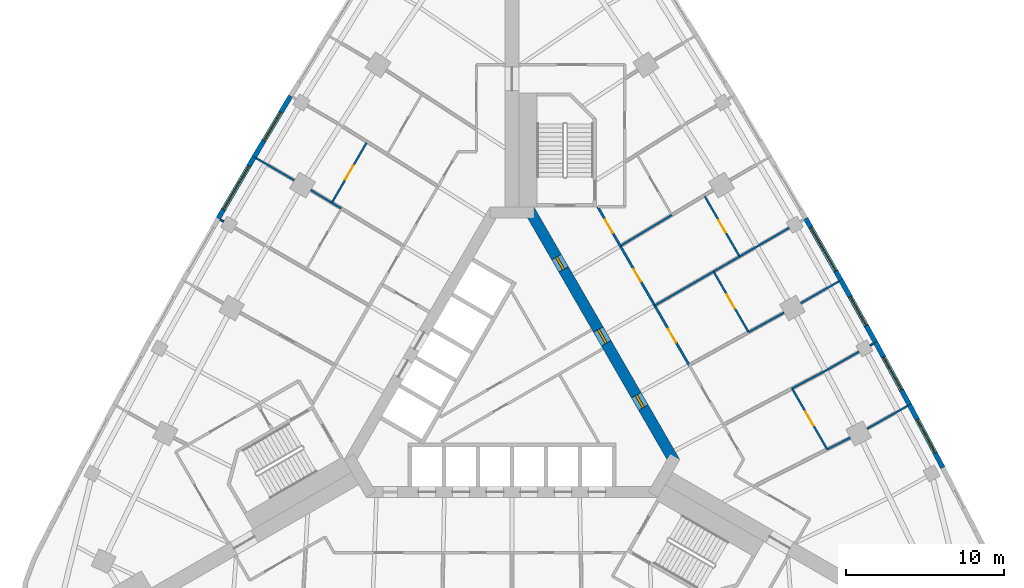
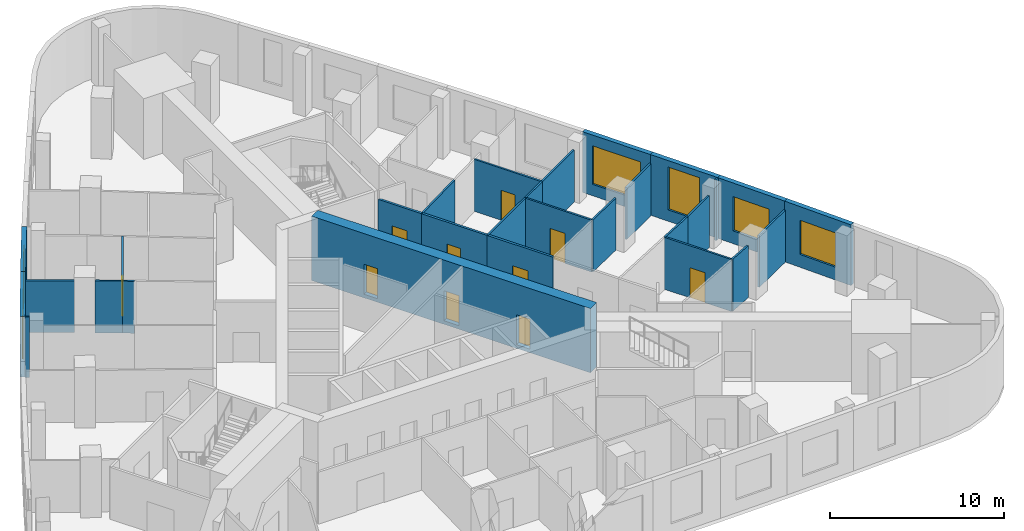
# One storey, part 8 of 11: 29 walls, 10 doors, 6 windows, 16 openings.
"""IFC4 building model written with IfcOpenShell, lengths in metres."""

from ifc_helpers import new_model, si_unit, direction, frame, frame_2d, origin, place, context, subcontext, project, spatial, rectangle, extrude, material, layer, layer_set, type_object, element, fill, save


model = new_model("IFC4")

# Units and contexts
model_context = context("Model", 3, precision=1e-05, world=origin(), true_north=direction((0.0, 1.0)))
body_context = subcontext(model_context, "Body", "Model", "MODEL_VIEW")
ifc_project = project(units=[si_unit("LENGTHUNIT", "METRE"), si_unit("AREAUNIT", "SQUARE_METRE"), si_unit("VOLUMEUNIT", "CUBIC_METRE"), si_unit("PLANEANGLEUNIT", "RADIAN"), si_unit("MASSUNIT", "GRAM", prefix="KILO")], contexts=[model_context])

# Site, building, storey
site_placement = place(None, origin())
site = spatial("IfcSite", under=ifc_project, at=site_placement, CompositionType="ELEMENT")
building_placement = place(site_placement, origin())
building = spatial("IfcBuilding", under=site, at=building_placement, Name="Noor Cloister Tower", CompositionType="ELEMENT")
storey_placement = place(building_placement, frame((0.0, 0.0, 10.5)))
storey = spatial("IfcBuildingStorey", under=building, at=storey_placement, Name="L02", CompositionType="ELEMENT", Elevation=10.5)

# Wall, openings, doors
ifc_material_1 = material(Name="Concrete C80/95", Category="concrete")
ifc_layer_1 = layer(ifc_material_1, 0.699951171875)
ifc_layer_set_1 = layer_set([ifc_layer_1], Name="Core wall 700 C80/95")
wall_type_1 = type_object("IfcWallType", Name="Core wall 700 C80/95", PredefinedType="SHEAR", material=ifc_layer_set_1)
wall_1_placement = place(storey_placement, frame((10.311279296875, -4.703125, -0.25), z_axis=(0.0, 0.0, 1.0), x_axis=(-0.500001446645, 0.866024568562, 0.0)))
wall_1 = element("IfcWall", 1, at=wall_1_placement, inside=storey, type_object=wall_type_1, Name="Core wall L02 3", PredefinedType="SHEAR", context=body_context, shape_type="SweptSolid", body=[
    extrude(rectangle(XDim=18.45751953125, YDim=0.699951171875, at=frame_2d((9.228759765625, 0.0))), origin(), (0.0, 0.0, 1.0), 4.5),
])
opening_1_placement = place(wall_1_placement, frame((8.699951171875, 0.0, 0.25)))
opening_1 = element("IfcOpeningElement", 2, at=opening_1_placement, cuts=wall_1, Name="Opening L02-901", PredefinedType="OPENING", context=body_context, shape_type="SweptSolid", body=[
    extrude(rectangle(XDim=1.0, YDim=2.10009765625, at=frame_2d((0.5, 1.050048828125))), frame((0.0, 0.35986328125, 0.0), z_axis=(0.0, -1.0, 0.0), x_axis=(1.0, 0.0, 0.0)), (0.0, 0.0, 1.0), 0.719970703125),
])
opening_2_placement = place(wall_1_placement, frame((4.001953125, 0.0, 0.25)))
opening_2 = element("IfcOpeningElement", 3, at=opening_2_placement, cuts=wall_1, Name="Opening L02-902", PredefinedType="OPENING", context=body_context, shape_type="SweptSolid", body=[
    extrude(rectangle(XDim=0.89990234375, YDim=2.10009765625, at=frame_2d((0.449951171875, 1.050048828125))), frame((0.0, 0.35986328125, 0.0), z_axis=(0.0, -1.0, 0.0), x_axis=(1.0, 0.0, 0.0)), (0.0, 0.0, 1.0), 0.719970703125),
])
opening_3_placement = place(wall_1_placement, frame((14.093017578125, 0.0, 0.25)))
opening_3 = element("IfcOpeningElement", 4, at=opening_3_placement, cuts=wall_1, Name="Opening L02-903", PredefinedType="OPENING", context=body_context, shape_type="SweptSolid", body=[
    extrude(rectangle(XDim=0.89990234375, YDim=2.10009765625, at=frame_2d((0.449951171875, 1.050048828125))), frame((0.0, 0.35986328125, 0.0), z_axis=(0.0, -1.0, 0.0), x_axis=(1.0, 0.0, 0.0)), (0.0, 0.0, 1.0), 0.719970703125),
])
ifc_material_2 = material(Name="Steel", Category="steel")
door_type_1 = type_object("IfcDoorType", Name="Core door 1000 x 2100 FD120", OperationType="SINGLE_SWING_LEFT", PredefinedType="DOOR", material=ifc_material_2)
door_1_placement = place(opening_1_placement, origin())
door_1 = element("IfcDoor", 5, at=door_1_placement, inside=storey, type_object=door_type_1, Name="Core door 1 L02", OperationType="SINGLE_SWING_LEFT", OverallHeight=2.10009765625, OverallWidth=1.0, PredefinedType="DOOR", context=body_context, shape_type="SweptSolid", body=[
    extrude(rectangle(XDim=1.0, YDim=2.10009765625, at=frame_2d((0.5, 1.050048828125))), frame((0.0, 0.074951171875, 0.0), z_axis=(0.0, -1.0, 0.0), x_axis=(1.0, 0.0, 0.0)), (0.0, 0.0, 1.0), 0.14990234375),
])
fill(opening_1, door_1)
ifc_material_3 = material(Name="Steel", Category="steel")
door_type_2 = type_object("IfcDoorType", Name="Core door 900 x 2100 FD120", OperationType="SINGLE_SWING_LEFT", PredefinedType="DOOR", material=ifc_material_3)
door_2_placement = place(opening_2_placement, origin())
door_2 = element("IfcDoor", 6, at=door_2_placement, inside=storey, type_object=door_type_2, Name="Core door 2 L02", OperationType="SINGLE_SWING_RIGHT", OverallHeight=2.10009765625, OverallWidth=0.89990234375, PredefinedType="DOOR", context=body_context, shape_type="SweptSolid", body=[
    extrude(rectangle(XDim=0.89990234375, YDim=2.10009765625, at=frame_2d((0.449951171875, 1.050048828125))), frame((0.0, 0.074951171875, 0.0), z_axis=(0.0, -1.0, 0.0), x_axis=(1.0, 0.0, 0.0)), (0.0, 0.0, 1.0), 0.14990234375),
])
fill(opening_2, door_2)
door_3_placement = place(opening_3_placement, origin())
door_3 = element("IfcDoor", 7, at=door_3_placement, inside=storey, type_object=door_type_2, Name="Core door 3 L02", OperationType="SINGLE_SWING_LEFT", OverallHeight=2.10009765625, OverallWidth=0.89990234375, PredefinedType="DOOR", context=body_context, shape_type="SweptSolid", body=[
    extrude(rectangle(XDim=0.89990234375, YDim=2.10009765625, at=frame_2d((0.449951171875, 1.050048828125))), frame((0.0, 0.074951171875, 0.0), z_axis=(0.0, -1.0, 0.0), x_axis=(1.0, 0.0, 0.0)), (0.0, 0.0, 1.0), 0.14990234375),
])
fill(opening_3, door_3)

# Wall, opening, door
ifc_material_4 = material(Name="Plasterboard on steel studs", Category="steel")
ifc_layer_2 = layer(ifc_material_4, 0.14990234375)
ifc_layer_set_2 = layer_set([ifc_layer_2], Name="Corridor wall 150")
wall_type_2 = type_object("IfcWallType", Name="Corridor wall 150", PredefinedType="PARTITIONING", material=ifc_layer_set_2)
wall_2_placement = place(storey_placement, frame((11.2060546875, 1.446044921875, 0.0), z_axis=(0.0, 0.0, 1.0), x_axis=(-0.500044734646, 0.865999574684, 0.0)))
wall_2 = element("IfcWall", 8, at=wall_2_placement, inside=storey, type_object=wall_type_2, Name="Partition", PredefinedType="PARTITIONING", context=body_context, shape_type="SweptSolid", body=[
    extrude(rectangle(XDim=4.349609375, YDim=0.14990234375, at=frame_2d((2.1748046875, 0.0))), origin(), (0.0, 0.0, 1.0), 3.637939453125),
])
opening_4_placement = place(wall_2_placement, frame((1.64990234375, 0.0, 0.0)))
opening_4 = element("IfcOpeningElement", 9, at=opening_4_placement, cuts=wall_2, Name="Opening L02-017", PredefinedType="OPENING", context=body_context, shape_type="SweptSolid", body=[
    extrude(rectangle(XDim=1.0, YDim=2.10009765625, at=frame_2d((0.5, 1.050048828125))), frame((0.0, 0.0849609375, 0.0), z_axis=(0.0, -1.0, 0.0), x_axis=(1.0, 0.0, 0.0)), (0.0, 0.0, 1.0), 0.169921875),
])
ifc_material_5 = material(Name="Timber door leaf", Category="wood")
door_type_3 = type_object("IfcDoorType", Name="Clinic room door 1000", OperationType="SINGLE_SWING_LEFT", PredefinedType="DOOR", material=ifc_material_5)
door_4_placement = place(opening_4_placement, origin())
door_4 = element("IfcDoor", 10, at=door_4_placement, inside=storey, type_object=door_type_3, Name="Door L02-017", OperationType="SINGLE_SWING_RIGHT", OverallHeight=2.10009765625, OverallWidth=1.0, PredefinedType="DOOR", context=body_context, shape_type="SweptSolid", body=[
    extrude(rectangle(XDim=1.0, YDim=2.10009765625, at=frame_2d((0.5, 1.050048828125))), frame((0.0, 0.02490234375, 0.0), z_axis=(0.0, -1.0, 0.0), x_axis=(1.0, 0.0, 0.0)), (0.0, 0.0, 1.0), 0.050048828125),
])
fill(opening_4, door_4)

wall_3_placement = place(storey_placement, frame((9.030029296875, 5.215087890625, 0.0), z_axis=(0.0, 0.0, 1.0), x_axis=(-0.500239242508, 0.86588723299, 0.0)))
wall_3 = element("IfcWall", 11, at=wall_3_placement, inside=storey, type_object=wall_type_2, Name="Partition", PredefinedType="PARTITIONING", context=body_context, shape_type="SweptSolid", body=[
    extrude(rectangle(XDim=4.347900390625, YDim=0.14990234375, at=frame_2d((2.173828125, 0.0))), origin(), (0.0, 0.0, 1.0), 3.637939453125),
])
opening_5_placement = place(wall_3_placement, frame((1.75, 0.0, 0.0)))
opening_5 = element("IfcOpeningElement", 12, at=opening_5_placement, cuts=wall_3, Name="Opening L02-021", PredefinedType="OPENING", context=body_context, shape_type="SweptSolid", body=[
    extrude(rectangle(XDim=0.89990234375, YDim=2.10009765625, at=frame_2d((0.449951171875, 1.050048828125))), frame((0.0, 0.0849609375, 0.0), z_axis=(0.0, -1.0, 0.0), x_axis=(1.0, 0.0, 0.0)), (0.0, 0.0, 1.0), 0.169921875),
])
ifc_material_6 = material(Name="Timber door leaf", Category="wood")
door_type_4 = type_object("IfcDoorType", Name="Service room door 900", OperationType="SINGLE_SWING_LEFT", PredefinedType="DOOR", material=ifc_material_6)
door_5_placement = place(opening_5_placement, origin())
door_5 = element("IfcDoor", 13, at=door_5_placement, inside=storey, type_object=door_type_4, Name="Door L02-021", OperationType="SINGLE_SWING_LEFT", OverallHeight=2.10009765625, OverallWidth=0.89990234375, PredefinedType="DOOR", context=body_context, shape_type="SweptSolid", body=[
    extrude(rectangle(XDim=0.89990234375, YDim=2.10009765625, at=frame_2d((0.449951171875, 1.050048828125))), frame((0.0, 0.02490234375, 0.0), z_axis=(0.0, -1.0, 0.0), x_axis=(1.0, 0.0, 0.0)), (0.0, 0.0, 1.0), 0.050048828125),
])
fill(opening_5, door_5)

wall_4_placement = place(storey_placement, frame((6.85400390625, 8.98193359375, 0.0), z_axis=(0.0, 0.0, 1.0), x_axis=(-0.499919889281, 0.866071650789, 0.0)))
wall_4 = element("IfcWall", 14, at=wall_4_placement, inside=storey, type_object=wall_type_2, Name="Partition", PredefinedType="PARTITIONING", context=body_context, shape_type="SweptSolid", body=[
    extrude(rectangle(XDim=2.8544921875, YDim=0.14990234375, at=frame_2d((1.42724609375, 0.0))), origin(), (0.0, 0.0, 1.0), 3.637939453125),
])
opening_6_placement = place(wall_4_placement, frame((0.949951171875, 0.0, 0.0)))
opening_6 = element("IfcOpeningElement", 15, at=opening_6_placement, cuts=wall_4, Name="Opening L02-025", PredefinedType="OPENING", context=body_context, shape_type="SweptSolid", body=[
    extrude(rectangle(XDim=1.0, YDim=2.10009765625, at=frame_2d((0.5, 1.050048828125))), frame((0.0, 0.0849609375, 0.0), z_axis=(0.0, -1.0, 0.0), x_axis=(1.0, 0.0, 0.0)), (0.0, 0.0, 1.0), 0.169921875),
])
door_6_placement = place(opening_6_placement, origin())
door_6 = element("IfcDoor", 16, at=door_6_placement, inside=storey, type_object=door_type_3, Name="Door L02-025", OperationType="SINGLE_SWING_LEFT", OverallHeight=2.10009765625, OverallWidth=1.0, PredefinedType="DOOR", context=body_context, shape_type="SweptSolid", body=[
    extrude(rectangle(XDim=1.0, YDim=2.10009765625, at=frame_2d((0.5, 1.050048828125))), frame((0.0, 0.02490234375, 0.0), z_axis=(0.0, -1.0, 0.0), x_axis=(1.0, 0.0, 0.0)), (0.0, 0.0, 1.0), 0.050048828125),
])
fill(opening_6, door_6)

# Wall, opening, window
ifc_material_7 = material(Name="Limestone", Category="masonry")
ifc_layer_3 = layer(ifc_material_7, 0.300048828125)
ifc_layer_set_3 = layer_set([ifc_layer_3], Name="Limestone panel wall 300")
wall_type_3 = type_object("IfcWallType", Name="Limestone panel wall 300", PredefinedType="NOTDEFINED", material=ifc_layer_set_3)
wall_5_placement = place(storey_placement, frame((-16.312744140625, 14.61376953125, 0.0), z_axis=(0.0, 0.0, 1.0), x_axis=(0.513257465408, 0.858234684805, 0.0)))
wall_5 = element("IfcWall", 17, at=wall_5_placement, inside=storey, type_object=wall_type_3, Name="Limestone wall L02 NW 4", PredefinedType="NOTDEFINED", context=body_context, shape_type="SweptSolid", body=[
    extrude(rectangle(XDim=4.49609375, YDim=0.300048828125, at=frame_2d((2.248046875, 0.0))), origin(), (0.0, 0.0, 1.0), 4.25),
])
opening_7_placement = place(wall_5_placement, frame((1.197998046875, 0.0, 0.800048828125)))
opening_7 = element("IfcOpeningElement", 18, at=opening_7_placement, cuts=wall_5, Name="Opening L02-W04", PredefinedType="OPENING", context=body_context, shape_type="SweptSolid", body=[
    extrude(rectangle(XDim=2.10009765625, YDim=3.0, at=frame_2d((1.050048828125, 1.5))), frame((0.0, 0.16015625, 0.0), z_axis=(0.0, -1.0, 0.0), x_axis=(1.0, 0.0, 0.0)), (0.0, 0.0, 1.0), 0.320068359375),
])
ifc_material_8 = material(Name="Aluminium 6063-T6 anodised", Category="aluminium")
window_type_1 = type_object("IfcWindowType", Name="Therapy window 2100 x 3000", PartitioningType="DOUBLE_PANEL_HORIZONTAL", PredefinedType="WINDOW", material=ifc_material_8)
window_1_placement = place(opening_7_placement, origin())
window_1 = element("IfcWindow", 19, at=window_1_placement, inside=storey, type_object=window_type_1, Name="Window L02 4", OverallHeight=3.0, OverallWidth=2.10009765625, PartitioningType="DOUBLE_PANEL_HORIZONTAL", PredefinedType="WINDOW", context=body_context, shape_type="SweptSolid", body=[
    extrude(rectangle(XDim=2.10009765625, YDim=3.0, at=frame_2d((1.050048828125, 1.5))), frame((0.0, 0.030029296875, 0.0), z_axis=(0.0, -1.0, 0.0), x_axis=(1.0, 0.0, 0.0)), (0.0, 0.0, 1.0), 0.06005859375),
])
fill(opening_7, window_1)

wall_6_placement = place(storey_placement, frame((-18.58203125, 10.729736328125, 0.0), z_axis=(0.0, 0.0, 1.0), x_axis=(0.50445499627, 0.86343798662, 0.0)))
wall_6 = element("IfcWall", 20, at=wall_6_placement, inside=storey, type_object=wall_type_3, Name="Limestone wall L02 NW 5", PredefinedType="NOTDEFINED", context=body_context, shape_type="SweptSolid", body=[
    extrude(rectangle(XDim=4.49609375, YDim=0.300048828125, at=frame_2d((2.248046875, 0.0))), origin(), (0.0, 0.0, 1.0), 4.25),
])
opening_8_placement = place(wall_6_placement, frame((0.64794921875, 0.0, 0.800048828125)))
opening_8 = element("IfcOpeningElement", 21, at=opening_8_placement, cuts=wall_6, Name="Opening L02-W05", PredefinedType="OPENING", context=body_context, shape_type="SweptSolid", body=[
    extrude(rectangle(XDim=3.199951171875, YDim=2.699951171875, at=frame_2d((1.60009765625, 1.35009765625))), frame((0.0, 0.16015625, 0.0), z_axis=(0.0, -1.0, 0.0), x_axis=(1.0, 0.0, 0.0)), (0.0, 0.0, 1.0), 0.320068359375),
])
ifc_material_9 = material(Name="Aluminium 6063-T6 anodised", Category="aluminium")
window_type_2 = type_object("IfcWindowType", Name="Waiting room window 3200 x 2700", PartitioningType="TRIPLE_PANEL_VERTICAL", PredefinedType="WINDOW", material=ifc_material_9)
window_2_placement = place(opening_8_placement, origin())
window_2 = element("IfcWindow", 22, at=window_2_placement, inside=storey, type_object=window_type_2, Name="Window L02 5", OverallHeight=2.699951171875, OverallWidth=3.199951171875, PartitioningType="TRIPLE_PANEL_VERTICAL", PredefinedType="WINDOW", context=body_context, shape_type="SweptSolid", body=[
    extrude(rectangle(XDim=3.199951171875, YDim=2.699951171875, at=frame_2d((1.60009765625, 1.35009765625))), frame((0.0, 0.030029296875, 0.0), z_axis=(0.0, -1.0, 0.0), x_axis=(1.0, 0.0, 0.0)), (0.0, 0.0, 1.0), 0.06005859375),
])
fill(opening_8, window_2)

wall_7_placement = place(storey_placement, frame((25.149658203125, -1.061767578125, 0.0), z_axis=(0.0, 0.0, 1.0), x_axis=(0.468566202388, -0.883428386447, 0.0)))
wall_7 = element("IfcWall", 23, at=wall_7_placement, inside=storey, type_object=wall_type_3, Name="Limestone wall L02 NE 2", PredefinedType="NOTDEFINED", context=body_context, shape_type="SweptSolid", body=[
    extrude(rectangle(XDim=4.49609375, YDim=0.300048828125, at=frame_2d((2.248046875, 0.0))), origin(), (0.0, 0.0, 1.0), 4.25),
])
opening_9_placement = place(wall_7_placement, frame((1.048095703125, 0.0, 0.89990234375)))
opening_9 = element("IfcOpeningElement", 24, at=opening_9_placement, cuts=wall_7, Name="Opening L02-W22", PredefinedType="OPENING", context=body_context, shape_type="SweptSolid", body=[
    extrude(rectangle(XDim=2.39990234375, YDim=2.39990234375, at=frame_2d((1.199951171875, 1.199951171875))), frame((0.0, 0.16015625, 0.0), z_axis=(0.0, -1.0, 0.0), x_axis=(1.0, 0.0, 0.0)), (0.0, 0.0, 1.0), 0.320068359375),
])
ifc_material_10 = material(Name="Aluminium 6063-T6 anodised", Category="aluminium")
window_type_3 = type_object("IfcWindowType", Name="Clinic window 2400 x 2400", PartitioningType="DOUBLE_PANEL_VERTICAL", PredefinedType="WINDOW", material=ifc_material_10)
window_3_placement = place(opening_9_placement, origin())
window_3 = element("IfcWindow", 25, at=window_3_placement, inside=storey, type_object=window_type_3, Name="Window L02 22", OverallHeight=2.39990234375, OverallWidth=2.39990234375, PartitioningType="DOUBLE_PANEL_VERTICAL", PredefinedType="WINDOW", context=body_context, shape_type="SweptSolid", body=[
    extrude(rectangle(XDim=2.39990234375, YDim=2.39990234375, at=frame_2d((1.199951171875, 1.199951171875))), frame((0.0, 0.030029296875, 0.0), z_axis=(0.0, -1.0, 0.0), x_axis=(1.0, 0.0, 0.0)), (0.0, 0.0, 1.0), 0.06005859375),
])
fill(opening_9, window_3)

wall_8_placement = place(storey_placement, frame((23.001220703125, 2.890380859375, 0.0), z_axis=(0.0, 0.0, 1.0), x_axis=(0.477577109439, -0.878589838628, 0.0)))
wall_8 = element("IfcWall", 26, at=wall_8_placement, inside=storey, type_object=wall_type_3, Name="Limestone wall L02 NE 3", PredefinedType="NOTDEFINED", context=body_context, shape_type="SweptSolid", body=[
    extrude(rectangle(XDim=4.49609375, YDim=0.300048828125, at=frame_2d((2.248046875, 0.0))), origin(), (0.0, 0.0, 1.0), 4.25),
])
opening_10_placement = place(wall_8_placement, frame((1.048095703125, 0.0, 0.89990234375)))
opening_10 = element("IfcOpeningElement", 27, at=opening_10_placement, cuts=wall_8, Name="Opening L02-W23", PredefinedType="OPENING", context=body_context, shape_type="SweptSolid", body=[
    extrude(rectangle(XDim=2.39990234375, YDim=2.39990234375, at=frame_2d((1.199951171875, 1.199951171875))), frame((0.0, 0.16015625, 0.0), z_axis=(0.0, -1.0, 0.0), x_axis=(1.0, 0.0, 0.0)), (0.0, 0.0, 1.0), 0.320068359375),
])
window_4_placement = place(opening_10_placement, origin())
window_4 = element("IfcWindow", 28, at=window_4_placement, inside=storey, type_object=window_type_3, Name="Window L02 23", OverallHeight=2.39990234375, OverallWidth=2.39990234375, PartitioningType="DOUBLE_PANEL_VERTICAL", PredefinedType="WINDOW", context=body_context, shape_type="SweptSolid", body=[
    extrude(rectangle(XDim=2.39990234375, YDim=2.39990234375, at=frame_2d((1.199951171875, 1.199951171875))), frame((0.0, 0.030029296875, 0.0), z_axis=(0.0, -1.0, 0.0), x_axis=(1.0, 0.0, 0.0)), (0.0, 0.0, 1.0), 0.06005859375),
])
fill(opening_10, window_4)

wall_9_placement = place(storey_placement, frame((20.812255859375, 6.8203125, 0.0), z_axis=(0.0, 0.0, 1.0), x_axis=(0.486606252415, -0.873621402617, 0.0)))
wall_9 = element("IfcWall", 29, at=wall_9_placement, inside=storey, type_object=wall_type_3, Name="Limestone wall L02 NE 4", PredefinedType="NOTDEFINED", context=body_context, shape_type="SweptSolid", body=[
    extrude(rectangle(XDim=4.495849609375, YDim=0.300048828125, at=frame_2d((2.248046875, 0.0))), origin(), (0.0, 0.0, 1.0), 4.25),
])
opening_11_placement = place(wall_9_placement, frame((1.197998046875, 0.0, 0.800048828125)))
opening_11 = element("IfcOpeningElement", 30, at=opening_11_placement, cuts=wall_9, Name="Opening L02-W24", PredefinedType="OPENING", context=body_context, shape_type="SweptSolid", body=[
    extrude(rectangle(XDim=2.10009765625, YDim=3.0, at=frame_2d((1.050048828125, 1.5))), frame((0.0, 0.16015625, 0.0), z_axis=(0.0, -1.0, 0.0), x_axis=(1.0, 0.0, 0.0)), (0.0, 0.0, 1.0), 0.320068359375),
])
window_5_placement = place(opening_11_placement, origin())
window_5 = element("IfcWindow", 31, at=window_5_placement, inside=storey, type_object=window_type_1, Name="Window L02 24", OverallHeight=3.0, OverallWidth=2.10009765625, PartitioningType="DOUBLE_PANEL_HORIZONTAL", PredefinedType="WINDOW", context=body_context, shape_type="SweptSolid", body=[
    extrude(rectangle(XDim=2.10009765625, YDim=3.0, at=frame_2d((1.050048828125, 1.5))), frame((0.0, 0.030029296875, 0.0), z_axis=(0.0, -1.0, 0.0), x_axis=(1.0, 0.0, 0.0)), (0.0, 0.0, 1.0), 0.06005859375),
])
fill(opening_11, window_5)

wall_10_placement = place(storey_placement, frame((18.583251953125, 10.7275390625, 0.0), z_axis=(0.0, 0.0, 1.0), x_axis=(0.495524760411, -0.868593812907, 0.0)))
wall_10 = element("IfcWall", 32, at=wall_10_placement, inside=storey, type_object=wall_type_3, Name="Limestone wall L02 NE 5", PredefinedType="NOTDEFINED", context=body_context, shape_type="SweptSolid", body=[
    extrude(rectangle(XDim=4.495849609375, YDim=0.300048828125, at=frame_2d((2.248046875, 0.0))), origin(), (0.0, 0.0, 1.0), 4.25),
])
opening_12_placement = place(wall_10_placement, frame((0.64794921875, 0.0, 0.800048828125)))
opening_12 = element("IfcOpeningElement", 33, at=opening_12_placement, cuts=wall_10, Name="Opening L02-W25", PredefinedType="OPENING", context=body_context, shape_type="SweptSolid", body=[
    extrude(rectangle(XDim=3.199951171875, YDim=2.699951171875, at=frame_2d((1.60009765625, 1.35009765625))), frame((0.0, 0.16015625, 0.0), z_axis=(0.0, -1.0, 0.0), x_axis=(1.0, 0.0, 0.0)), (0.0, 0.0, 1.0), 0.320068359375),
])
window_6_placement = place(opening_12_placement, origin())
window_6 = element("IfcWindow", 34, at=window_6_placement, inside=storey, type_object=window_type_2, Name="Window L02 25", OverallHeight=2.699951171875, OverallWidth=3.199951171875, PartitioningType="TRIPLE_PANEL_VERTICAL", PredefinedType="WINDOW", context=body_context, shape_type="SweptSolid", body=[
    extrude(rectangle(XDim=3.199951171875, YDim=2.699951171875, at=frame_2d((1.60009765625, 1.35009765625))), frame((0.0, 0.030029296875, 0.0), z_axis=(0.0, -1.0, 0.0), x_axis=(1.0, 0.0, 0.0)), (0.0, 0.0, 1.0), 0.06005859375),
])
fill(opening_12, window_6)

# Walls
ifc_material_11 = material(Name="Plasterboard on steel studs", Category="steel")
ifc_layer_4 = layer(ifc_material_11, 0.1201171875)
ifc_layer_set_4 = layer_set([ifc_layer_4], Name="Partition wall 120")
wall_type_4 = type_object("IfcWallType", Name="Partition wall 120", PredefinedType="PARTITIONING", material=ifc_layer_set_4)
wall_11_placement = place(storey_placement, frame((17.214111328125, 4.76708984375, 0.0), z_axis=(0.0, 0.0, 1.0), x_axis=(-0.875184225923, -0.483789800116, 0.0)))
element("IfcWall", 35, at=wall_11_placement, inside=storey, type_object=wall_type_4, Name="Partition", PredefinedType="PARTITIONING", context=body_context, shape_type="SweptSolid", body=[
    extrude(rectangle(XDim=2.56298828125, YDim=0.1201171875, at=frame_2d((1.281494140625, 0.0))), origin(), (0.0, 0.0, 1.0), 3.637939453125),
])
wall_12_placement = place(storey_placement, frame((20.681884765625, 6.74609375, 0.0), z_axis=(0.0, 0.0, 1.0), x_axis=(-0.867283853893, -0.49781393791, 0.0)))
element("IfcWall", 36, at=wall_12_placement, inside=storey, type_object=wall_type_4, Name="Partition", PredefinedType="PARTITIONING", context=body_context, shape_type="SweptSolid", body=[
    extrude(rectangle(XDim=2.79248046875, YDim=0.1201171875, at=frame_2d((1.396240234375, 0.0))), origin(), (0.0, 0.0, 1.0), 3.633056640625),
])

# Wall, opening, door
wall_13_placement = place(storey_placement, frame((14.968994140625, 3.527099609375, 0.0), z_axis=(0.0, 0.0, 1.0), x_axis=(-0.499903777033, 0.866080951013, 0.0)))
wall_13 = element("IfcWall", 37, at=wall_13_placement, inside=storey, type_object=wall_type_4, Name="Partition", PredefinedType="PARTITIONING", context=body_context, shape_type="SweptSolid", body=[
    extrude(rectangle(XDim=4.428955078125, YDim=0.1201171875, at=frame_2d((2.21435546875, 0.0))), origin(), (0.0, 0.0, 1.0), 3.637939453125),
])
opening_13_placement = place(wall_13_placement, frame((1.75, 0.0, 0.0)))
opening_13 = element("IfcOpeningElement", 38, at=opening_13_placement, cuts=wall_13, Name="Opening L02-019", PredefinedType="OPENING", context=body_context, shape_type="SweptSolid", body=[
    extrude(rectangle(XDim=1.0, YDim=2.10009765625, at=frame_2d((0.5, 1.050048828125))), frame((0.0, 0.070068359375, 0.0), z_axis=(0.0, -1.0, 0.0), x_axis=(1.0, 0.0, 0.0)), (0.0, 0.0, 1.0), 0.14013671875),
])
door_7_placement = place(opening_13_placement, origin())
door_7 = element("IfcDoor", 39, at=door_7_placement, inside=storey, type_object=door_type_3, Name="Door L02-019", OperationType="SINGLE_SWING_LEFT", OverallHeight=2.10009765625, OverallWidth=1.0, PredefinedType="DOOR", context=body_context, shape_type="SweptSolid", body=[
    extrude(rectangle(XDim=1.0, YDim=2.10009765625, at=frame_2d((0.5, 1.050048828125))), frame((0.0, 0.02490234375, 0.0), z_axis=(0.0, -1.0, 0.0), x_axis=(1.0, 0.0, 0.0)), (0.0, 0.0, 1.0), 0.050048828125),
])
fill(opening_13, door_7)

# Walls
wall_14_placement = place(storey_placement, frame((12.7548828125, 7.363037109375, 0.0), z_axis=(0.0, 0.0, 1.0), x_axis=(-0.866173292352, -0.499743761959, 0.0)))
element("IfcWall", 40, at=wall_14_placement, inside=storey, type_object=wall_type_4, Name="Partition", PredefinedType="PARTITIONING", context=body_context, shape_type="SweptSolid", body=[
    extrude(rectangle(XDim=4.298095703125, YDim=0.1201171875, at=frame_2d((2.14892578125, 0.0))), origin(), (0.0, 0.0, 1.0), 3.637939453125),
])
wall_15_placement = place(storey_placement, frame((14.39990234375, 8.31298828125, 0.0), z_axis=(0.0, 0.0, 1.0), x_axis=(-0.865980106173, -0.500078449558, 0.0)))
element("IfcWall", 41, at=wall_15_placement, inside=storey, type_object=wall_type_4, Name="Partition", PredefinedType="PARTITIONING", context=body_context, shape_type="SweptSolid", body=[
    extrude(rectangle(XDim=1.899658203125, YDim=0.1201171875, at=frame_2d((0.94970703125, 0.0))), origin(), (0.0, 0.0, 1.0), 3.637939453125),
])
wall_16_placement = place(storey_placement, frame((17.54296875, 10.1279296875, 0.0), z_axis=(0.0, 0.0, 1.0), x_axis=(-0.866039913117, -0.499974868256, 0.0)))
element("IfcWall", 42, at=wall_16_placement, inside=storey, type_object=wall_type_4, Name="Partition", PredefinedType="PARTITIONING", context=body_context, shape_type="SweptSolid", body=[
    extrude(rectangle(XDim=3.628173828125, YDim=0.1201171875, at=frame_2d((1.81396484375, 0.0))), origin(), (0.0, 0.0, 1.0), 3.637939453125),
])

# Wall, opening, door
wall_17_placement = place(storey_placement, frame((14.39892578125, 8.31396484375, 0.0), z_axis=(0.0, 0.0, 1.0), x_axis=(-0.49998599166, 0.866033491352, 0.0)))
wall_17 = element("IfcWall", 43, at=wall_17_placement, inside=storey, type_object=wall_type_4, Name="Partition", PredefinedType="PARTITIONING", context=body_context, shape_type="SweptSolid", body=[
    extrude(rectangle(XDim=4.464111328125, YDim=0.1201171875, at=frame_2d((2.23193359375, 0.0))), origin(), (0.0, 0.0, 1.0), 3.637939453125),
])
opening_14_placement = place(wall_17_placement, frame((1.75, 0.0, 0.0)))
opening_14 = element("IfcOpeningElement", 44, at=opening_14_placement, cuts=wall_17, Name="Opening L02-023", PredefinedType="OPENING", context=body_context, shape_type="SweptSolid", body=[
    extrude(rectangle(XDim=0.89990234375, YDim=2.10009765625, at=frame_2d((0.449951171875, 1.050048828125))), frame((0.0, 0.070068359375, 0.0), z_axis=(0.0, -1.0, 0.0), x_axis=(1.0, 0.0, 0.0)), (0.0, 0.0, 1.0), 0.14013671875),
])
door_8_placement = place(opening_14_placement, origin())
door_8 = element("IfcDoor", 45, at=door_8_placement, inside=storey, type_object=door_type_4, Name="Door L02-023", OperationType="SINGLE_SWING_RIGHT", OverallHeight=2.10009765625, OverallWidth=0.89990234375, PredefinedType="DOOR", context=body_context, shape_type="SweptSolid", body=[
    extrude(rectangle(XDim=0.89990234375, YDim=2.10009765625, at=frame_2d((0.449951171875, 1.050048828125))), frame((0.0, 0.02490234375, 0.0), z_axis=(0.0, -1.0, 0.0), x_axis=(1.0, 0.0, 0.0)), (0.0, 0.0, 1.0), 0.050048828125),
])
fill(opening_14, door_8)

# Walls
wall_18_placement = place(storey_placement, frame((10.111083984375, 10.94189453125, 0.0), z_axis=(0.0, 0.0, 1.0), x_axis=(-0.856692501001, -0.515827450539, 0.0)))
element("IfcWall", 46, at=wall_18_placement, inside=storey, type_object=wall_type_4, Name="Partition", PredefinedType="PARTITIONING", context=body_context, shape_type="SweptSolid", body=[
    extrude(rectangle(XDim=3.799560546875, YDim=0.1201171875, at=frame_2d((1.89990234375, 0.0))), origin(), (0.0, 0.0, 1.0), 3.637939453125),
])
ifc_material_12 = material(Name="Plasterboard on steel studs", Category="steel")
ifc_layer_5 = layer(ifc_material_12, 0.1201171875)
ifc_layer_set_5 = layer_set([ifc_layer_5], Name="Partition wall 120 EI 60")
wall_type_5 = type_object("IfcWallType", Name="Partition wall 120 EI 60", PredefinedType="PARTITIONING", material=ifc_layer_set_5)
wall_19_placement = place(storey_placement, frame((21.40087890625, -3.15087890625, 0.0), z_axis=(0.0, 0.0, 1.0), x_axis=(-0.892653768212, -0.450742997834, 0.0)))
element("IfcWall", 47, at=wall_19_placement, inside=storey, type_object=wall_type_5, Name="Partition", PredefinedType="PARTITIONING", context=body_context, shape_type="SweptSolid", body=[
    extrude(rectangle(XDim=1.630859375, YDim=0.1201171875, at=frame_2d((0.8154296875, 0.0))), origin(), (0.0, 0.0, 1.0), 3.637939453125),
])
wall_20_placement = place(storey_placement, frame((25.02001953125, -1.137939453125, 0.0), z_axis=(0.0, 0.0, 1.0), x_axis=(-0.870620069476, -0.491955988505, 0.0)))
element("IfcWall", 48, at=wall_20_placement, inside=storey, type_object=wall_type_5, Name="Partition", PredefinedType="PARTITIONING", context=body_context, shape_type="SweptSolid", body=[
    extrude(rectangle(XDim=2.939453125, YDim=0.1201171875, at=frame_2d((1.4697265625, 0.0))), origin(), (0.0, 0.0, 1.0), 3.633056640625),
])

# Wall, opening, door
wall_21_placement = place(storey_placement, frame((19.944091796875, -3.885986328125, 0.0), z_axis=(0.0, 0.0, 1.0), x_axis=(-0.500092923031, 0.865971748, 0.0)))
wall_21 = element("IfcWall", 49, at=wall_21_placement, inside=storey, type_object=wall_type_5, Name="Partition", PredefinedType="PARTITIONING", context=body_context, shape_type="SweptSolid", body=[
    extrude(rectangle(XDim=4.449462890625, YDim=0.1201171875, at=frame_2d((2.224609375, 0.0))), origin(), (0.0, 0.0, 1.0), 3.637939453125),
])
opening_15_placement = place(wall_21_placement, frame((1.75, 0.0, 0.0)))
opening_15 = element("IfcOpeningElement", 50, at=opening_15_placement, cuts=wall_21, Name="Opening L02-014", PredefinedType="OPENING", context=body_context, shape_type="SweptSolid", body=[
    extrude(rectangle(XDim=1.0, YDim=2.10009765625, at=frame_2d((0.5, 1.050048828125))), frame((0.0, 0.070068359375, 0.0), z_axis=(0.0, -1.0, 0.0), x_axis=(1.0, 0.0, 0.0)), (0.0, 0.0, 1.0), 0.14013671875),
])
ifc_material_13 = material(Name="Timber door leaf", Category="wood")
door_type_5 = type_object("IfcDoorType", Name="Clinic room door 1000 FD60", OperationType="SINGLE_SWING_LEFT", PredefinedType="DOOR", material=ifc_material_13)
door_9_placement = place(opening_15_placement, origin())
door_9 = element("IfcDoor", 51, at=door_9_placement, inside=storey, type_object=door_type_5, Name="Door L02-014", OperationType="SINGLE_SWING_LEFT", OverallHeight=2.10009765625, OverallWidth=1.0, PredefinedType="DOOR", context=body_context, shape_type="SweptSolid", body=[
    extrude(rectangle(XDim=1.0, YDim=2.10009765625, at=frame_2d((0.5, 1.050048828125))), frame((0.0, 0.02490234375, 0.0), z_axis=(0.0, -1.0, 0.0), x_axis=(1.0, 0.0, 0.0)), (0.0, 0.0, 1.0), 0.050048828125),
])
fill(opening_15, door_9)

# Walls
wall_22_placement = place(storey_placement, frame((21.958984375, 2.294921875, 0.0), z_axis=(0.0, 0.0, 1.0), x_axis=(-0.868831589773, -0.49510773435, 0.0)))
element("IfcWall", 52, at=wall_22_placement, inside=storey, type_object=wall_type_5, Name="Partition", PredefinedType="PARTITIONING", context=body_context, shape_type="SweptSolid", body=[
    extrude(rectangle(XDim=2.3974609375, YDim=0.1201171875, at=frame_2d((1.19873046875, 0.0))), origin(), (0.0, 0.0, 1.0), 3.637939453125),
])
wall_23_placement = place(storey_placement, frame((19.875, 1.10791015625, 0.0), z_axis=(0.0, 0.0, 1.0), x_axis=(-0.884045895877, -0.467400100538, 0.0)))
element("IfcWall", 53, at=wall_23_placement, inside=storey, type_object=wall_type_5, Name="Partition", PredefinedType="PARTITIONING", context=body_context, shape_type="SweptSolid", body=[
    extrude(rectangle(XDim=2.438720703125, YDim=0.1201171875, at=frame_2d((1.21923828125, 0.0))), origin(), (0.0, 0.0, 1.0), 3.637939453125),
])
wall_24_placement = place(storey_placement, frame((22.87109375, 2.81494140625, 0.0), z_axis=(0.0, 0.0, 1.0), x_axis=(-0.867276603101, -0.497826569916, 0.0)))
element("IfcWall", 54, at=wall_24_placement, inside=storey, type_object=wall_type_5, Name="Partition", PredefinedType="PARTITIONING", context=body_context, shape_type="SweptSolid", body=[
    extrude(rectangle(XDim=0.2490234375, YDim=0.1201171875, at=frame_2d((0.12451171875, 0.0))), origin(), (0.0, 0.0, 1.0), 4.25),
])
wall_25_placement = place(storey_placement, frame((-18.237060546875, 10.528076171875, 0.0), z_axis=(0.0, 0.0, 1.0), x_axis=(-0.866558586415, 0.499075361355, 0.0)))
element("IfcWall", 55, at=wall_25_placement, inside=storey, type_object=wall_type_5, Name="Partition", PredefinedType="PARTITIONING", context=body_context, shape_type="SweptSolid", body=[
    extrude(rectangle(XDim=0.25048828125, YDim=0.1201171875, at=frame_2d((0.125244140625, 0.0))), origin(), (0.0, 0.0, 1.0), 4.25),
])
wall_26_placement = place(storey_placement, frame((-10.798095703125, 11.35595703125, 0.0), z_axis=(0.0, 0.0, 1.0), x_axis=(-0.856627537291, 0.515935327686, 0.0)))
element("IfcWall", 56, at=wall_26_placement, inside=storey, type_object=wall_type_5, Name="Partition", PredefinedType="PARTITIONING", context=body_context, shape_type="SweptSolid", body=[
    extrude(rectangle(XDim=0.697998046875, YDim=0.1201171875, at=frame_2d((0.34912109375, 0.0))), origin(), (0.0, 0.0, 1.0), 3.637939453125),
])
wall_27_placement = place(storey_placement, frame((-13.76904296875, 13.135009765625, 0.0), z_axis=(0.0, 0.0, 1.0), x_axis=(-0.864576979504, 0.50250039454, 0.0)))
element("IfcWall", 57, at=wall_27_placement, inside=storey, type_object=wall_type_5, Name="Partition", PredefinedType="PARTITIONING", context=body_context, shape_type="SweptSolid", body=[
    extrude(rectangle(XDim=2.792236328125, YDim=0.1201171875, at=frame_2d((1.39599609375, 0.0))), origin(), (0.0, 0.0, 1.0), 3.633056640625),
])
wall_28_placement = place(storey_placement, frame((-11.39697265625, 11.717041015625, 0.0), z_axis=(0.0, 0.0, 1.0), x_axis=(-0.85652691333, 0.516102360721, 0.0)))
element("IfcWall", 58, at=wall_28_placement, inside=storey, type_object=wall_type_5, Name="Partition", PredefinedType="PARTITIONING", context=body_context, shape_type="SweptSolid", body=[
    extrude(rectangle(XDim=1.5634765625, YDim=0.1201171875, at=frame_2d((0.78173828125, 0.0))), origin(), (0.0, 0.0, 1.0), 3.637939453125),
])

# Wall, opening, door
wall_29_placement = place(storey_placement, frame((-9.169921875, 15.572021484375, 0.0), z_axis=(0.0, 0.0, 1.0), x_axis=(-0.499902881486, -0.866081467924, 0.0)))
wall_29 = element("IfcWall", 59, at=wall_29_placement, inside=storey, type_object=wall_type_5, Name="Partition", PredefinedType="PARTITIONING", context=body_context, shape_type="SweptSolid", body=[
    extrude(rectangle(XDim=4.451171875, YDim=0.1201171875, at=frame_2d((2.2255859375, 0.0))), origin(), (0.0, 0.0, 1.0), 3.637939453125),
])
opening_16_placement = place(wall_29_placement, frame((1.75, 0.0, 0.0)))
opening_16 = element("IfcOpeningElement", 60, at=opening_16_placement, cuts=wall_29, Name="Opening L02-027", PredefinedType="OPENING", context=body_context, shape_type="SweptSolid", body=[
    extrude(rectangle(XDim=1.0, YDim=2.10009765625, at=frame_2d((0.5, 1.050048828125))), frame((0.0, 0.070068359375, 0.0), z_axis=(0.0, -1.0, 0.0), x_axis=(1.0, 0.0, 0.0)), (0.0, 0.0, 1.0), 0.14013671875),
])
door_10_placement = place(opening_16_placement, origin())
door_10 = element("IfcDoor", 61, at=door_10_placement, inside=storey, type_object=door_type_5, Name="Door L02-027", OperationType="SINGLE_SWING_LEFT", OverallHeight=2.10009765625, OverallWidth=1.0, PredefinedType="DOOR", context=body_context, shape_type="SweptSolid", body=[
    extrude(rectangle(XDim=1.0, YDim=2.10009765625, at=frame_2d((0.5, 1.050048828125))), frame((0.0, 0.02490234375, 0.0), z_axis=(0.0, -1.0, 0.0), x_axis=(1.0, 0.0, 0.0)), (0.0, 0.0, 1.0), 0.050048828125),
])
fill(opening_16, door_10)

save(model, "model.ifc")
